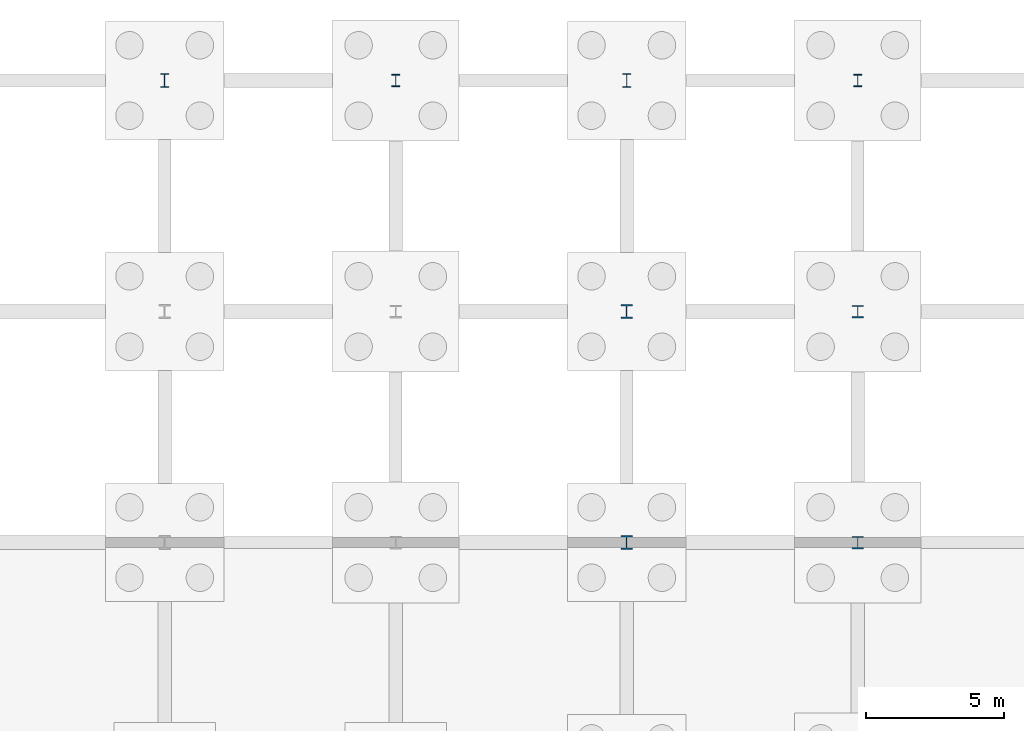
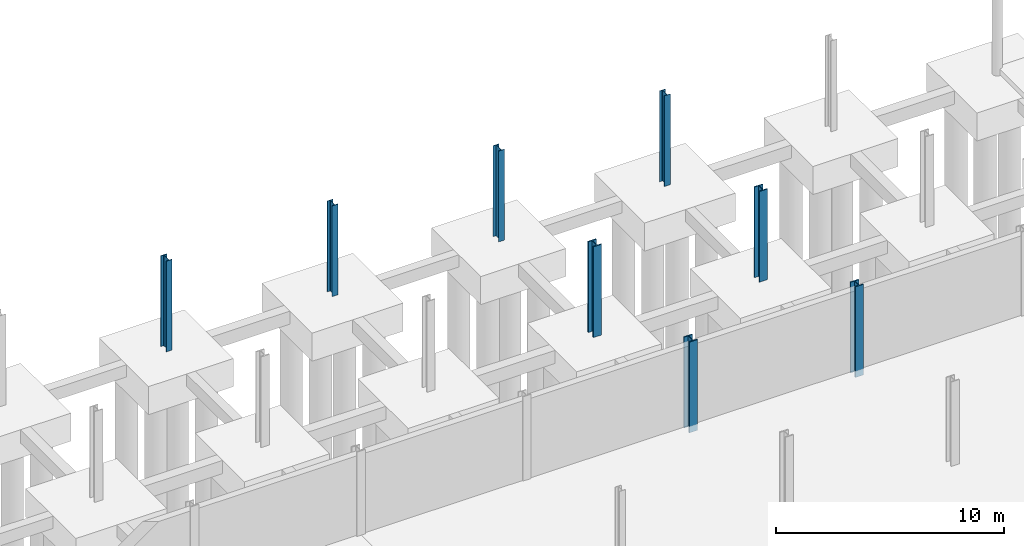
# One storey, part 25 of 51: 8 columns.
"""IFC4 building model written with IfcOpenShell, lengths in metres."""

from ifc_helpers import new_model, si_unit, direction, frame, origin, origin_2d, place, context, subcontext, project, spatial, i_section, extrude, material, material_profile, profile_set, type_object, element, save


model = new_model("IFC4")

# Units and contexts
model_context = context("Model", 3, precision=1e-05, world=origin(), true_north=direction((0.0, 1.0)))
body_context = subcontext(model_context, "Body", "Model", "MODEL_VIEW")
ifc_project = project(units=[si_unit("LENGTHUNIT", "METRE"), si_unit("AREAUNIT", "SQUARE_METRE"), si_unit("VOLUMEUNIT", "CUBIC_METRE"), si_unit("PLANEANGLEUNIT", "RADIAN"), si_unit("MASSUNIT", "GRAM", prefix="KILO")], contexts=[model_context])

# Site, building, storey
site_placement = place(None, origin())
site = spatial("IfcSite", under=ifc_project, at=site_placement, CompositionType="ELEMENT")
building_placement = place(site_placement, origin())
building = spatial("IfcBuilding", under=site, at=building_placement, Name="Qalvenar Corner Mobility Hub", CompositionType="ELEMENT")
storey_placement = place(building_placement, frame((0.0, 0.0, -4.5)))
storey = spatial("IfcBuildingStorey", under=building, at=storey_placement, Name="B1", CompositionType="ELEMENT", Elevation=-4.5)

# Columns
ifc_material = material(Name="Steel S355", Category="steel")
ifc_material_profile_1 = material_profile(ifc_material, i_section(OverallWidth=0.412109375, OverallDepth=0.455078125, WebThickness=0.030517578125, FlangeThickness=0.049072265625, FilletRadius=0.014892578125, at=origin_2d()), Name="HD400x421")
ifc_profile_set_1 = profile_set([ifc_material_profile_1], Name="Steel S355")
column_type_1 = type_object("IfcColumnType", Name="COL-HD400X382", PredefinedType="COLUMN", material=ifc_profile_set_1)
for number, where, z_axis, x_axis, name in (
    (1, (126.0, 100.800048828125, -0.35009765625), (0.0, 0.0, 1.0), (1.0, 0.0, 0.0), "Steel Column B1-G16-12"),
    (2, (126.0, 109.199951171875, -0.35009765625), (0.0, 0.0, 1.0), (1.0, 0.0, 0.0), "Steel Column B1-G16-13"),
):
    element("IfcColumn", number, at=place(storey_placement, frame(where, z_axis=z_axis, x_axis=x_axis)), inside=storey, type_object=column_type_1, Name=name, PredefinedType="COLUMN", context=body_context, shape_type="SweptSolid", body=[
        extrude(i_section(OverallWidth=0.412109375, OverallDepth=0.455078125, WebThickness=0.030517578125, FlangeThickness=0.049072265625, FilletRadius=0.014892578125, at=origin_2d()), origin(), (0.0, 0.0, 1.0), 4.85009765625),
    ])
ifc_material_profile_2 = material_profile(ifc_material, i_section(OverallWidth=0.419921875, OverallDepth=0.5048828125, WebThickness=0.03662109375, FlangeThickness=0.05908203125, FilletRadius=0.014892578125, at=origin_2d()), Name="HD400x551")
ifc_profile_set_2 = profile_set([ifc_material_profile_2], Name="Steel S355")
column_type_2 = type_object("IfcColumnType", Name="COL-HD400X463", PredefinedType="COLUMN", material=ifc_profile_set_2)
for number, where, z_axis, x_axis, name in (
    (3, (117.60009765625, 100.800048828125, -0.35009765625), (0.0, 0.0, 1.0), (1.0, 0.0, 0.0), "Steel Column B1-G15-12"),
    (4, (117.60009765625, 109.199951171875, -0.35009765625), (0.0, 0.0, 1.0), (1.0, 0.0, 0.0), "Steel Column B1-G15-13"),
):
    element("IfcColumn", number, at=place(storey_placement, frame(where, z_axis=z_axis, x_axis=x_axis)), inside=storey, type_object=column_type_2, Name=name, PredefinedType="COLUMN", context=body_context, shape_type="SweptSolid", body=[
        extrude(i_section(OverallWidth=0.419921875, OverallDepth=0.5048828125, WebThickness=0.03662109375, FlangeThickness=0.05908203125, FilletRadius=0.014892578125, at=origin_2d()), origin(), (0.0, 0.0, 1.0), 4.85009765625),
    ])
ifc_material_profile_3 = material_profile(ifc_material, i_section(OverallWidth=0.300048828125, OverallDepth=0.449951171875, WebThickness=0.013916015625, FlangeThickness=0.02587890625, FilletRadius=0.027099609375, at=origin_2d()), Name="HEB450")
ifc_profile_set_3 = profile_set([ifc_material_profile_3], Name="Steel S355")
column_type_3 = type_object("IfcColumnType", Name="COL-HEB450", PredefinedType="COLUMN", material=ifc_profile_set_3)
for number, where, z_axis, x_axis, name in (
    (5, (109.199951171875, 117.60009765625, -0.35009765625), (0.0, 0.0, 1.0), (1.0, 0.0, 0.0), "Steel Column B1-G14-14"),
    (6, (126.0, 117.60009765625, -0.35009765625), (0.0, 0.0, 1.0), (1.0, 0.0, 0.0), "Steel Column B1-G16-14"),
):
    element("IfcColumn", number, at=place(storey_placement, frame(where, z_axis=z_axis, x_axis=x_axis)), inside=storey, type_object=column_type_3, Name=name, PredefinedType="COLUMN", context=body_context, shape_type="SweptSolid", body=[
        extrude(i_section(OverallWidth=0.300048828125, OverallDepth=0.449951171875, WebThickness=0.013916015625, FlangeThickness=0.02587890625, FilletRadius=0.027099609375, at=origin_2d()), origin(), (0.0, 0.0, 1.0), 4.85009765625),
    ])
ifc_material_profile_4 = material_profile(ifc_material, i_section(OverallWidth=0.300048828125, OverallDepth=0.5, WebThickness=0.014404296875, FlangeThickness=0.028076171875, FilletRadius=0.027099609375, at=origin_2d()), Name="HEB500")
ifc_profile_set_4 = profile_set([ifc_material_profile_4], Name="Steel S355")
column_type_4 = type_object("IfcColumnType", Name="COL-HEB500", PredefinedType="COLUMN", material=ifc_profile_set_4)
for number, where, z_axis, x_axis, name in (
    (7, (100.800048828125, 117.60009765625, -0.35009765625), (0.0, 0.0, 1.0), (1.0, 0.0, 0.0), "Steel Column B1-G13-14"),
    (8, (117.60009765625, 117.60009765625, -0.35009765625), (0.0, 0.0, 1.0), (1.0, 0.0, 0.0), "Steel Column B1-G15-14"),
):
    element("IfcColumn", number, at=place(storey_placement, frame(where, z_axis=z_axis, x_axis=x_axis)), inside=storey, type_object=column_type_4, Name=name, PredefinedType="COLUMN", context=body_context, shape_type="SweptSolid", body=[
        extrude(i_section(OverallWidth=0.300048828125, OverallDepth=0.5, WebThickness=0.014404296875, FlangeThickness=0.028076171875, FilletRadius=0.027099609375, at=origin_2d()), origin(), (0.0, 0.0, 1.0), 4.85009765625),
    ])

save(model, "model.ifc")
